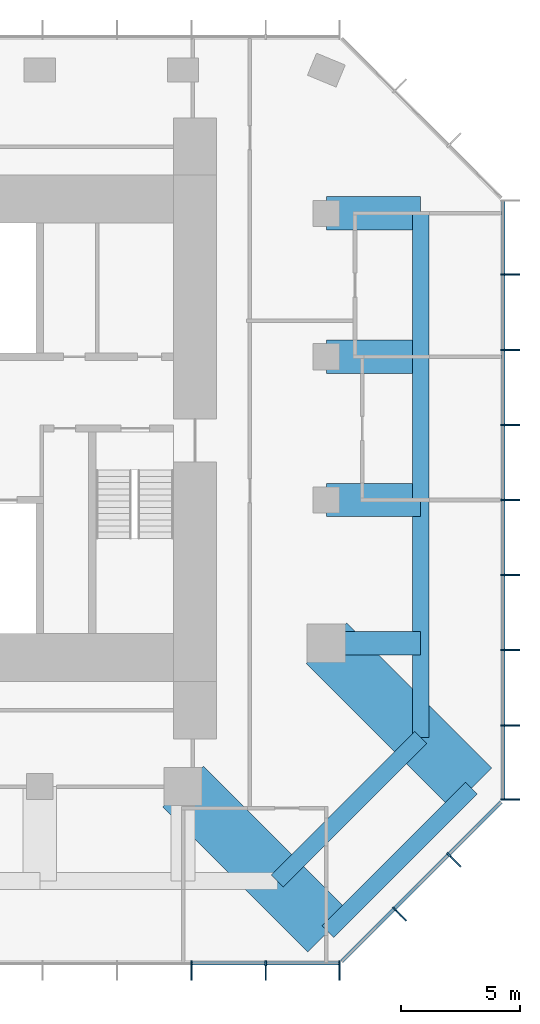
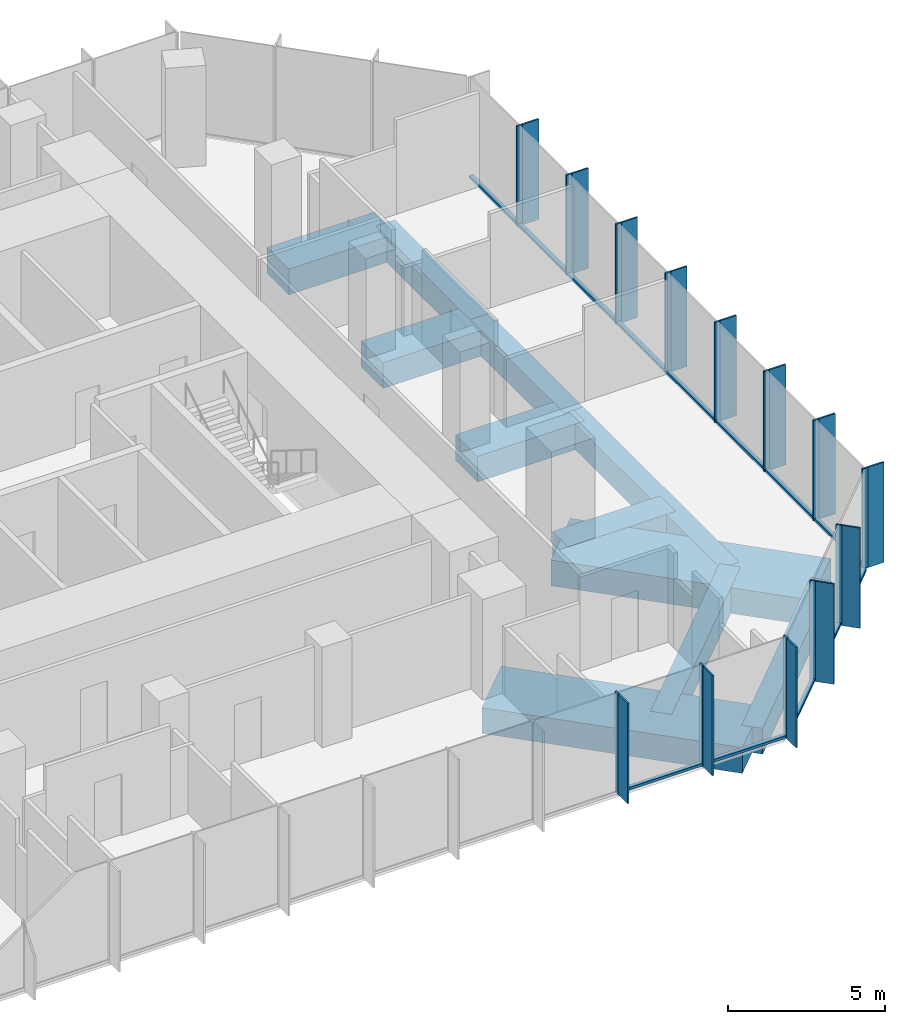
# One storey, part 4 of 11: 39 members, 11 beams, 3 elements without a shape of their own.
"""IFC4 building model written with IfcOpenShell, lengths in metres."""

from ifc_helpers import new_model, si_unit, direction, frame, origin, origin_2d, place, context, subcontext, project, spatial, rectangle, extrude, material, layer, layer_set, material_profile, profile_set, type_object, element, aggregate, save


model = new_model("IFC4")

# Units and contexts
model_context = context("Model", 3, precision=1e-05, world=origin(), true_north=direction((0.0, 1.0)))
body_context = subcontext(model_context, "Body", "Model", "MODEL_VIEW")
ifc_project = project(units=[si_unit("LENGTHUNIT", "METRE"), si_unit("AREAUNIT", "SQUARE_METRE"), si_unit("VOLUMEUNIT", "CUBIC_METRE"), si_unit("PLANEANGLEUNIT", "RADIAN"), si_unit("MASSUNIT", "GRAM", prefix="KILO")], contexts=[model_context])

# Site, building, storey
site_placement = place(None, origin())
site = spatial("IfcSite", under=ifc_project, at=site_placement, CompositionType="ELEMENT")
building_placement = place(site_placement, origin())
building = spatial("IfcBuilding", under=site, at=building_placement, Name="Highveld Stack Headquarters", CompositionType="ELEMENT")
storey_placement = place(building_placement, frame((0.0, 0.0, 287.89990234375)))
storey = spatial("IfcBuildingStorey", under=building, at=storey_placement, Name="L71", CompositionType="ELEMENT", Elevation=287.89990234375)

# Beams
ifc_material_1 = material(Name="Concrete C60/75", Category="concrete")
ifc_material_profile_1 = material_profile(ifc_material_1, rectangle(XDim=1.0, YDim=1.0, at=origin_2d()), Name="RC 1000x1000")
ifc_profile_set_1 = profile_set([ifc_material_profile_1], Name="Concrete C60/75")
beam_type_1 = type_object("IfcBeamType", Name="CANTILEVER RIB RC 1000x1000", PredefinedType="USERDEFINED", material=ifc_profile_set_1)
beam_1_placement = place(storey_placement, frame((24.0, -6.0, -0.75), z_axis=(1.0, 0.0, 0.0), x_axis=(0.0, 1.0, 0.0)))
element("IfcBeam", 1, at=beam_1_placement, inside=storey, type_object=beam_type_1, Name="Cantilever rib 10/D L71", ObjectType="CANTILEVER RIB", PredefinedType="USERDEFINED", context=body_context, shape_type="SweptSolid", body=[
    extrude(rectangle(XDim=1.0, YDim=1.0, at=origin_2d()), origin(), (0.0, 0.0, 1.0), 3.949951171875),
])
ifc_material_2 = material(Name="Concrete C60/75", Category="concrete")
ifc_material_profile_2 = material_profile(ifc_material_2, rectangle(XDim=1.39990234375, YDim=1.0, at=origin_2d()), Name="RC 1400x1000")
ifc_profile_set_2 = profile_set([ifc_material_profile_2], Name="Concrete C60/75")
beam_type_2 = type_object("IfcBeamType", Name="CANTILEVER RIB RC 1400x1000", PredefinedType="USERDEFINED", material=ifc_profile_set_2)
for number, where, z_axis, x_axis, name in (
    (2, (24.0, 0.0, -0.75), (1.0, 0.0, 0.0), (0.0, 1.0, 0.0), "Cantilever rib 10/E L71"),
    (3, (24.0, 6.0, -0.75), (1.0, 0.0, 0.0), (0.0, 1.0, 0.0), "Cantilever rib 10/F L71"),
    (4, (24.0, 12.0, -0.75), (1.0, 0.0, 0.0), (0.0, 1.0, 0.0), "Cantilever rib 10/G L71"),
):
    element("IfcBeam", number, at=place(storey_placement, frame(where, z_axis=z_axis, x_axis=x_axis)), inside=storey, type_object=beam_type_2, Name=name, ObjectType="CANTILEVER RIB", PredefinedType="USERDEFINED", context=body_context, shape_type="SweptSolid", body=[
        extrude(rectangle(XDim=1.39990234375, YDim=1.0, at=origin_2d()), origin(), (0.0, 0.0, 1.0), 3.949951171875),
    ])
ifc_material_3 = material(Name="Concrete C60/75", Category="concrete")
ifc_material_profile_3 = material_profile(ifc_material_3, rectangle(XDim=2.39990234375, YDim=1.0, at=origin_2d()), Name="RC 2400x1000")
ifc_profile_set_3 = profile_set([ifc_material_profile_3], Name="Concrete C60/75")
beam_type_3 = type_object("IfcBeamType", Name="CANTILEVER RIB RC 2400x1000", PredefinedType="USERDEFINED", material=ifc_profile_set_3)
for number, where, z_axis, x_axis, name in (
    (5, (18.0, -12.0, -0.75), (0.707106781187, -0.707106781187, 0.0), (0.707106781187, 0.707106781187, 0.0), "Cantilever rib 9/C L71"),
    (6, (24.0, -6.0, -0.75), (0.707106781187, -0.707106781187, 0.0), (0.707106781187, 0.707106781187, 0.0), "Cantilever rib 10/D L71"),
):
    element("IfcBeam", number, at=place(storey_placement, frame(where, z_axis=z_axis, x_axis=x_axis)), inside=storey, type_object=beam_type_3, Name=name, ObjectType="CANTILEVER RIB", PredefinedType="USERDEFINED", context=body_context, shape_type="SweptSolid", body=[
        extrude(rectangle(XDim=2.39990234375, YDim=1.0, at=origin_2d()), origin(), (0.0, 0.0, 1.0), 8.585693359375),
    ])

# Curtain wall, members
ifc_material_4 = material(Name="Aluminium bronze anodised", Category="aluminium")
ifc_layer = layer(ifc_material_4, 0.199951171875)
ifc_layer_set = layer_set([ifc_layer], Name="Aluminium bronze anodised")
curtain_wall_type = type_object("IfcCurtainWallType", Name="CW5 EXECUTIVE UNITISED CURTAIN WALL", PredefinedType="NOTDEFINED", material=ifc_layer_set)
curtain_wall_1_placement = place(storey_placement, origin())
curtain_wall_1 = element("IfcCurtainWall", 7, at=curtain_wall_1_placement, inside=storey, type_object=curtain_wall_type, Name="Curtain wall CW5 L71 S", PredefinedType="NOTDEFINED")
ifc_material_5 = material(Name="Aluminium bronze anodised", Category="aluminium")
ifc_material_profile_4 = material_profile(ifc_material_5, rectangle(XDim=0.60009765625, YDim=0.06005859375, at=origin_2d()), Name="FIN 600x60")
ifc_profile_set_4 = profile_set([ifc_material_profile_4], Name="Aluminium bronze anodised")
member_type_1 = type_object("IfcMemberType", Name="CW5 BRONZE FIN 600x60", PredefinedType="USERDEFINED", material=ifc_profile_set_4)
member_1_placement = place(storey_placement, frame((18.347900390625, -19.800048828125, 0.0), z_axis=(0.0, 0.0, 1.0), x_axis=(0.0, 1.0, 0.0)))
member_1 = element("IfcMember", 8, at=member_1_placement, type_object=member_type_1, Name="CW5 fin L71 9", ObjectType="FIN", PredefinedType="USERDEFINED", context=body_context, shape_type="SweptSolid", body=[
    extrude(rectangle(XDim=0.60009765625, YDim=0.06005859375, at=origin_2d()), origin(), (0.0, 0.0, 1.0), 3.900146484375),
])
member_2_placement = place(storey_placement, frame((21.4638671875, -19.800048828125, 0.0), z_axis=(0.0, 0.0, 1.0), x_axis=(0.0, 1.0, 0.0)))
member_2 = element("IfcMember", 9, at=member_2_placement, type_object=member_type_1, Name="CW5 fin L71 10", ObjectType="FIN", PredefinedType="USERDEFINED", context=body_context, shape_type="SweptSolid", body=[
    extrude(rectangle(XDim=0.60009765625, YDim=0.06005859375, at=origin_2d()), origin(), (0.0, 0.0, 1.0), 3.900146484375),
])
member_3_placement = place(storey_placement, frame((24.54736328125, -19.800048828125, 0.0), z_axis=(0.0, 0.0, 1.0), x_axis=(0.0, 1.0, 0.0)))
member_3 = element("IfcMember", 10, at=member_3_placement, type_object=member_type_1, Name="CW5 fin L71 11", ObjectType="FIN", PredefinedType="USERDEFINED", context=body_context, shape_type="SweptSolid", body=[
    extrude(rectangle(XDim=0.60009765625, YDim=0.06005859375, at=origin_2d()), origin(), (0.0, 0.0, 1.0), 3.900146484375),
])

curtain_wall_2_placement = place(storey_placement, origin())
curtain_wall_2 = element("IfcCurtainWall", 11, at=curtain_wall_2_placement, inside=storey, type_object=curtain_wall_type, Name="Curtain wall CW5 L71 SE", PredefinedType="NOTDEFINED")
member_4_placement = place(storey_placement, frame((27.135986328125, -17.409423828125, 0.0), z_axis=(0.0, 0.0, 1.0), x_axis=(-0.707106781187, 0.707106781187, 0.0)))
member_4 = element("IfcMember", 12, at=member_4_placement, type_object=member_type_1, Name="CW5 fin L71 1", ObjectType="FIN", PredefinedType="USERDEFINED", context=body_context, shape_type="SweptSolid", body=[
    extrude(rectangle(XDim=0.60009765625, YDim=0.06005859375, at=origin_2d()), origin(), (0.0, 0.0, 1.0), 3.900146484375),
])
member_5_placement = place(storey_placement, frame((29.409423828125, -15.135986328125, 0.0), z_axis=(0.0, 0.0, 1.0), x_axis=(-0.707106781187, 0.707106781187, 0.0)))
member_5 = element("IfcMember", 13, at=member_5_placement, type_object=member_type_1, Name="CW5 fin L71 2", ObjectType="FIN", PredefinedType="USERDEFINED", context=body_context, shape_type="SweptSolid", body=[
    extrude(rectangle(XDim=0.60009765625, YDim=0.06005859375, at=origin_2d()), origin(), (0.0, 0.0, 1.0), 3.900146484375),
])

curtain_wall_3_placement = place(storey_placement, origin())
curtain_wall_3 = element("IfcCurtainWall", 14, at=curtain_wall_3_placement, inside=storey, type_object=curtain_wall_type, Name="Curtain wall CW5 L71 E", PredefinedType="NOTDEFINED")
member_6_placement = place(storey_placement, frame((31.800048828125, -12.54736328125, 0.0), z_axis=(0.0, 0.0, 1.0), x_axis=(-1.0, 0.0, 0.0)))
member_6 = element("IfcMember", 15, at=member_6_placement, type_object=member_type_1, Name="CW5 fin L71 1", ObjectType="FIN", PredefinedType="USERDEFINED", context=body_context, shape_type="SweptSolid", body=[
    extrude(rectangle(XDim=0.60009765625, YDim=0.06005859375, at=origin_2d()), origin(), (0.0, 0.0, 1.0), 3.900146484375),
])
member_7_placement = place(storey_placement, frame((31.800048828125, -9.434814453125, 0.0), z_axis=(0.0, 0.0, 1.0), x_axis=(-1.0, 0.0, 0.0)))
member_7 = element("IfcMember", 16, at=member_7_placement, type_object=member_type_1, Name="CW5 fin L71 2", ObjectType="FIN", PredefinedType="USERDEFINED", context=body_context, shape_type="SweptSolid", body=[
    extrude(rectangle(XDim=0.60009765625, YDim=0.06005859375, at=origin_2d()), origin(), (0.0, 0.0, 1.0), 3.900146484375),
])
member_8_placement = place(storey_placement, frame((31.800048828125, -6.2900390625, 0.0), z_axis=(0.0, 0.0, 1.0), x_axis=(-1.0, 0.0, 0.0)))
member_8 = element("IfcMember", 17, at=member_8_placement, type_object=member_type_1, Name="CW5 fin L71 3", ObjectType="FIN", PredefinedType="USERDEFINED", context=body_context, shape_type="SweptSolid", body=[
    extrude(rectangle(XDim=0.60009765625, YDim=0.06005859375, at=origin_2d()), origin(), (0.0, 0.0, 1.0), 3.900146484375),
])
member_9_placement = place(storey_placement, frame((31.800048828125, -3.14501953125, 0.0), z_axis=(0.0, 0.0, 1.0), x_axis=(-1.0, 0.0, 0.0)))
member_9 = element("IfcMember", 18, at=member_9_placement, type_object=member_type_1, Name="CW5 fin L71 4", ObjectType="FIN", PredefinedType="USERDEFINED", context=body_context, shape_type="SweptSolid", body=[
    extrude(rectangle(XDim=0.60009765625, YDim=0.06005859375, at=origin_2d()), origin(), (0.0, 0.0, 1.0), 3.900146484375),
])
member_10_placement = place(storey_placement, frame((31.800048828125, 0.0, 0.0), z_axis=(0.0, 0.0, 1.0), x_axis=(-1.0, 0.0, 0.0)))
member_10 = element("IfcMember", 19, at=member_10_placement, type_object=member_type_1, Name="CW5 fin L71 5", ObjectType="FIN", PredefinedType="USERDEFINED", context=body_context, shape_type="SweptSolid", body=[
    extrude(rectangle(XDim=0.60009765625, YDim=0.06005859375, at=origin_2d()), origin(), (0.0, 0.0, 1.0), 3.900146484375),
])
member_11_placement = place(storey_placement, frame((31.800048828125, 3.14501953125, 0.0), z_axis=(0.0, 0.0, 1.0), x_axis=(-1.0, 0.0, 0.0)))
member_11 = element("IfcMember", 20, at=member_11_placement, type_object=member_type_1, Name="CW5 fin L71 6", ObjectType="FIN", PredefinedType="USERDEFINED", context=body_context, shape_type="SweptSolid", body=[
    extrude(rectangle(XDim=0.60009765625, YDim=0.06005859375, at=origin_2d()), origin(), (0.0, 0.0, 1.0), 3.900146484375),
])
member_12_placement = place(storey_placement, frame((31.800048828125, 6.289794921875, 0.0), z_axis=(0.0, 0.0, 1.0), x_axis=(-1.0, 0.0, 0.0)))
member_12 = element("IfcMember", 21, at=member_12_placement, type_object=member_type_1, Name="CW5 fin L71 7", ObjectType="FIN", PredefinedType="USERDEFINED", context=body_context, shape_type="SweptSolid", body=[
    extrude(rectangle(XDim=0.60009765625, YDim=0.06005859375, at=origin_2d()), origin(), (0.0, 0.0, 1.0), 3.900146484375),
])
member_13_placement = place(storey_placement, frame((31.800048828125, 9.434814453125, 0.0), z_axis=(0.0, 0.0, 1.0), x_axis=(-1.0, 0.0, 0.0)))
member_13 = element("IfcMember", 22, at=member_13_placement, type_object=member_type_1, Name="CW5 fin L71 8", ObjectType="FIN", PredefinedType="USERDEFINED", context=body_context, shape_type="SweptSolid", body=[
    extrude(rectangle(XDim=0.60009765625, YDim=0.06005859375, at=origin_2d()), origin(), (0.0, 0.0, 1.0), 3.900146484375),
])

# Member
ifc_material_6 = material(Name="Aluminium bronze anodised", Category="aluminium")
ifc_material_profile_5 = material_profile(ifc_material_6, rectangle(XDim=0.199951171875, YDim=0.06494140625, at=origin_2d()), Name="CW5 MULLION 65x200")
ifc_profile_set_5 = profile_set([ifc_material_profile_5], Name="Aluminium bronze anodised")
member_type_2 = type_object("IfcMemberType", Name="CW5 MULLION 65x200", PredefinedType="MULLION", material=ifc_profile_set_5)
member_14_placement = place(storey_placement, frame((18.347900390625, -19.39990234375, 0.0), z_axis=(0.0, 0.0, 1.0), x_axis=(0.0, 1.0, 0.0)))
member_14 = element("IfcMember", 23, at=member_14_placement, type_object=member_type_2, Name="CW5 mullion L71 9", PredefinedType="MULLION", context=body_context, shape_type="SweptSolid", body=[
    extrude(rectangle(XDim=0.199951171875, YDim=0.06494140625, at=origin_2d()), origin(), (0.0, 0.0, 1.0), 3.900146484375),
])

member_15_placement = place(storey_placement, frame((21.4638671875, -19.39990234375, 0.0), z_axis=(0.0, 0.0, 1.0), x_axis=(0.0, 1.0, 0.0)))
member_15 = element("IfcMember", 24, at=member_15_placement, type_object=member_type_2, Name="CW5 mullion L71 10", PredefinedType="MULLION", context=body_context, shape_type="SweptSolid", body=[
    extrude(rectangle(XDim=0.199951171875, YDim=0.06494140625, at=origin_2d()), origin(), (0.0, 0.0, 1.0), 3.900146484375),
])

member_16_placement = place(storey_placement, frame((24.54736328125, -19.39990234375, 0.0), z_axis=(0.0, 0.0, 1.0), x_axis=(0.0, 1.0, 0.0)))
member_16 = element("IfcMember", 25, at=member_16_placement, type_object=member_type_2, Name="CW5 mullion L71 11", PredefinedType="MULLION", context=body_context, shape_type="SweptSolid", body=[
    extrude(rectangle(XDim=0.199951171875, YDim=0.06494140625, at=origin_2d()), origin(), (0.0, 0.0, 1.0), 3.900146484375),
])

member_17_placement = place(storey_placement, frame((26.853271484375, -17.126708984375, 0.0), z_axis=(0.0, 0.0, 1.0), x_axis=(-0.707106781187, 0.707106781187, 0.0)))
member_17 = element("IfcMember", 26, at=member_17_placement, type_object=member_type_2, Name="CW5 mullion L71 1", PredefinedType="MULLION", context=body_context, shape_type="SweptSolid", body=[
    extrude(rectangle(XDim=0.199951171875, YDim=0.06494140625, at=origin_2d()), origin(), (0.0, 0.0, 1.0), 3.900146484375),
])

member_18_placement = place(storey_placement, frame((29.126708984375, -14.853271484375, 0.0), z_axis=(0.0, 0.0, 1.0), x_axis=(-0.707106781187, 0.707106781187, 0.0)))
member_18 = element("IfcMember", 27, at=member_18_placement, type_object=member_type_2, Name="CW5 mullion L71 2", PredefinedType="MULLION", context=body_context, shape_type="SweptSolid", body=[
    extrude(rectangle(XDim=0.199951171875, YDim=0.06494140625, at=origin_2d()), origin(), (0.0, 0.0, 1.0), 3.900146484375),
])

member_19_placement = place(storey_placement, frame((31.39990234375, -12.54736328125, 0.0), z_axis=(0.0, 0.0, 1.0), x_axis=(-1.0, 0.0, 0.0)))
member_19 = element("IfcMember", 28, at=member_19_placement, type_object=member_type_2, Name="CW5 mullion L71 1", PredefinedType="MULLION", context=body_context, shape_type="SweptSolid", body=[
    extrude(rectangle(XDim=0.199951171875, YDim=0.06494140625, at=origin_2d()), origin(), (0.0, 0.0, 1.0), 3.900146484375),
])

member_20_placement = place(storey_placement, frame((31.39990234375, -9.434814453125, 0.0), z_axis=(0.0, 0.0, 1.0), x_axis=(-1.0, 0.0, 0.0)))
member_20 = element("IfcMember", 29, at=member_20_placement, type_object=member_type_2, Name="CW5 mullion L71 2", PredefinedType="MULLION", context=body_context, shape_type="SweptSolid", body=[
    extrude(rectangle(XDim=0.199951171875, YDim=0.06494140625, at=origin_2d()), origin(), (0.0, 0.0, 1.0), 3.900146484375),
])

member_21_placement = place(storey_placement, frame((31.39990234375, -6.2900390625, 0.0), z_axis=(0.0, 0.0, 1.0), x_axis=(-1.0, 0.0, 0.0)))
member_21 = element("IfcMember", 30, at=member_21_placement, type_object=member_type_2, Name="CW5 mullion L71 3", PredefinedType="MULLION", context=body_context, shape_type="SweptSolid", body=[
    extrude(rectangle(XDim=0.199951171875, YDim=0.06494140625, at=origin_2d()), origin(), (0.0, 0.0, 1.0), 3.900146484375),
])

member_22_placement = place(storey_placement, frame((31.39990234375, -3.14501953125, 0.0), z_axis=(0.0, 0.0, 1.0), x_axis=(-1.0, 0.0, 0.0)))
member_22 = element("IfcMember", 31, at=member_22_placement, type_object=member_type_2, Name="CW5 mullion L71 4", PredefinedType="MULLION", context=body_context, shape_type="SweptSolid", body=[
    extrude(rectangle(XDim=0.199951171875, YDim=0.06494140625, at=origin_2d()), origin(), (0.0, 0.0, 1.0), 3.900146484375),
])

member_23_placement = place(storey_placement, frame((31.39990234375, 0.0, 0.0), z_axis=(0.0, 0.0, 1.0), x_axis=(-1.0, 0.0, 0.0)))
member_23 = element("IfcMember", 32, at=member_23_placement, type_object=member_type_2, Name="CW5 mullion L71 5", PredefinedType="MULLION", context=body_context, shape_type="SweptSolid", body=[
    extrude(rectangle(XDim=0.199951171875, YDim=0.06494140625, at=origin_2d()), origin(), (0.0, 0.0, 1.0), 3.900146484375),
])

member_24_placement = place(storey_placement, frame((31.39990234375, 3.14501953125, 0.0), z_axis=(0.0, 0.0, 1.0), x_axis=(-1.0, 0.0, 0.0)))
member_24 = element("IfcMember", 33, at=member_24_placement, type_object=member_type_2, Name="CW5 mullion L71 6", PredefinedType="MULLION", context=body_context, shape_type="SweptSolid", body=[
    extrude(rectangle(XDim=0.199951171875, YDim=0.06494140625, at=origin_2d()), origin(), (0.0, 0.0, 1.0), 3.900146484375),
])

member_25_placement = place(storey_placement, frame((31.39990234375, 6.289794921875, 0.0), z_axis=(0.0, 0.0, 1.0), x_axis=(-1.0, 0.0, 0.0)))
member_25 = element("IfcMember", 34, at=member_25_placement, type_object=member_type_2, Name="CW5 mullion L71 7", PredefinedType="MULLION", context=body_context, shape_type="SweptSolid", body=[
    extrude(rectangle(XDim=0.199951171875, YDim=0.06494140625, at=origin_2d()), origin(), (0.0, 0.0, 1.0), 3.900146484375),
])

member_26_placement = place(storey_placement, frame((31.39990234375, 9.434814453125, 0.0), z_axis=(0.0, 0.0, 1.0), x_axis=(-1.0, 0.0, 0.0)))
member_26 = element("IfcMember", 35, at=member_26_placement, type_object=member_type_2, Name="CW5 mullion L71 8", PredefinedType="MULLION", context=body_context, shape_type="SweptSolid", body=[
    extrude(rectangle(XDim=0.199951171875, YDim=0.06494140625, at=origin_2d()), origin(), (0.0, 0.0, 1.0), 3.900146484375),
])

ifc_material_7 = material(Name="Aluminium bronze anodised", Category="aluminium")
ifc_material_profile_6 = material_profile(ifc_material_7, rectangle(XDim=0.14990234375, YDim=0.10009765625, at=origin_2d()), Name="CW5 TRANSOM 150x100")
ifc_profile_set_6 = profile_set([ifc_material_profile_6], Name="Aluminium bronze anodised")
member_type_3 = type_object("IfcMemberType", Name="CW5 STACK TRANSOM 150x100", PredefinedType="USERDEFINED", material=ifc_profile_set_6)
member_27_placement = place(storey_placement, frame((18.38037109375, -19.39990234375, 0.050048828125), z_axis=(1.0, 0.0, 0.0), x_axis=(0.0, 1.0, 0.0)))
member_27 = element("IfcMember", 36, at=member_27_placement, type_object=member_type_3, Name="CW5 transom L71 9.1", ObjectType="TRANSOM", PredefinedType="USERDEFINED", context=body_context, shape_type="SweptSolid", body=[
    extrude(rectangle(XDim=0.14990234375, YDim=0.10009765625, at=origin_2d()), origin(), (0.0, 0.0, 1.0), 3.051025390625),
])

member_28_placement = place(storey_placement, frame((21.496337890625, -19.39990234375, 0.050048828125), z_axis=(1.0, 0.0, 0.0), x_axis=(0.0, 1.0, 0.0)))
member_28 = element("IfcMember", 37, at=member_28_placement, type_object=member_type_3, Name="CW5 transom L71 10.1", ObjectType="TRANSOM", PredefinedType="USERDEFINED", context=body_context, shape_type="SweptSolid", body=[
    extrude(rectangle(XDim=0.14990234375, YDim=0.10009765625, at=origin_2d()), origin(), (0.0, 0.0, 1.0), 3.0185546875),
])

aggregate(curtain_wall_1, [member_14, member_1, member_15, member_2, member_16, member_3, member_27, member_28])

member_29_placement = place(storey_placement, frame((24.650634765625, -19.329345703125, 0.050048828125), z_axis=(0.707106781187, 0.707106781187, 0.0), x_axis=(-0.707106781187, 0.707106781187, 0.0)))
member_29 = element("IfcMember", 38, at=member_29_placement, type_object=member_type_3, Name="CW5 transom L71 1.1", ObjectType="TRANSOM", PredefinedType="USERDEFINED", context=body_context, shape_type="SweptSolid", body=[
    extrude(rectangle(XDim=0.14990234375, YDim=0.10009765625, at=origin_2d()), origin(), (0.0, 0.0, 1.0), 3.08251953125),
])

member_30_placement = place(storey_placement, frame((26.876220703125, -17.103759765625, 0.050048828125), z_axis=(0.707106781187, 0.707106781187, 0.0), x_axis=(-0.707106781187, 0.707106781187, 0.0)))
member_30 = element("IfcMember", 39, at=member_30_placement, type_object=member_type_3, Name="CW5 transom L71 2.1", ObjectType="TRANSOM", PredefinedType="USERDEFINED", context=body_context, shape_type="SweptSolid", body=[
    extrude(rectangle(XDim=0.14990234375, YDim=0.10009765625, at=origin_2d()), origin(), (0.0, 0.0, 1.0), 3.150146484375),
])

member_31_placement = place(storey_placement, frame((29.149658203125, -14.830322265625, 0.050048828125), z_axis=(0.707106781187, 0.707106781187, 0.0), x_axis=(-0.707106781187, 0.707106781187, 0.0)))
member_31 = element("IfcMember", 40, at=member_31_placement, type_object=member_type_3, Name="CW5 transom L71 3.1", ObjectType="TRANSOM", PredefinedType="USERDEFINED", context=body_context, shape_type="SweptSolid", body=[
    extrude(rectangle(XDim=0.14990234375, YDim=0.10009765625, at=origin_2d()), origin(), (0.0, 0.0, 1.0), 3.08251953125),
])

aggregate(curtain_wall_2, [member_17, member_4, member_18, member_5, member_29, member_30, member_31])

member_32_placement = place(storey_placement, frame((31.39990234375, -12.514892578125, 0.050048828125), z_axis=(0.0, 1.0, 0.0), x_axis=(-1.0, 0.0, 0.0)))
member_32 = element("IfcMember", 41, at=member_32_placement, type_object=member_type_3, Name="CW5 transom L71 1.1", ObjectType="TRANSOM", PredefinedType="USERDEFINED", context=body_context, shape_type="SweptSolid", body=[
    extrude(rectangle(XDim=0.14990234375, YDim=0.10009765625, at=origin_2d()), origin(), (0.0, 0.0, 1.0), 3.047607421875),
])

member_33_placement = place(storey_placement, frame((31.39990234375, -9.40234375, 0.050048828125), z_axis=(0.0, 1.0, 0.0), x_axis=(-1.0, 0.0, 0.0)))
member_33 = element("IfcMember", 42, at=member_33_placement, type_object=member_type_3, Name="CW5 transom L71 2.1", ObjectType="TRANSOM", PredefinedType="USERDEFINED", context=body_context, shape_type="SweptSolid", body=[
    extrude(rectangle(XDim=0.14990234375, YDim=0.10009765625, at=origin_2d()), origin(), (0.0, 0.0, 1.0), 3.079833984375),
])

member_34_placement = place(storey_placement, frame((31.39990234375, -6.257568359375, 0.050048828125), z_axis=(0.0, 1.0, 0.0), x_axis=(-1.0, 0.0, 0.0)))
member_34 = element("IfcMember", 43, at=member_34_placement, type_object=member_type_3, Name="CW5 transom L71 3.1", ObjectType="TRANSOM", PredefinedType="USERDEFINED", context=body_context, shape_type="SweptSolid", body=[
    extrude(rectangle(XDim=0.14990234375, YDim=0.10009765625, at=origin_2d()), origin(), (0.0, 0.0, 1.0), 3.080078125),
])

member_35_placement = place(storey_placement, frame((31.39990234375, -3.112548828125, 0.050048828125), z_axis=(0.0, 1.0, 0.0), x_axis=(-1.0, 0.0, 0.0)))
member_35 = element("IfcMember", 44, at=member_35_placement, type_object=member_type_3, Name="CW5 transom L71 4.1", ObjectType="TRANSOM", PredefinedType="USERDEFINED", context=body_context, shape_type="SweptSolid", body=[
    extrude(rectangle(XDim=0.14990234375, YDim=0.10009765625, at=origin_2d()), origin(), (0.0, 0.0, 1.0), 3.080078125),
])

member_36_placement = place(storey_placement, frame((31.39990234375, 0.032470703125, 0.050048828125), z_axis=(0.0, 1.0, 0.0), x_axis=(-1.0, 0.0, 0.0)))
member_36 = element("IfcMember", 45, at=member_36_placement, type_object=member_type_3, Name="CW5 transom L71 5.1", ObjectType="TRANSOM", PredefinedType="USERDEFINED", context=body_context, shape_type="SweptSolid", body=[
    extrude(rectangle(XDim=0.14990234375, YDim=0.10009765625, at=origin_2d()), origin(), (0.0, 0.0, 1.0), 3.080078125),
])

member_37_placement = place(storey_placement, frame((31.39990234375, 3.177490234375, 0.050048828125), z_axis=(0.0, 1.0, 0.0), x_axis=(-1.0, 0.0, 0.0)))
member_37 = element("IfcMember", 46, at=member_37_placement, type_object=member_type_3, Name="CW5 transom L71 6.1", ObjectType="TRANSOM", PredefinedType="USERDEFINED", context=body_context, shape_type="SweptSolid", body=[
    extrude(rectangle(XDim=0.14990234375, YDim=0.10009765625, at=origin_2d()), origin(), (0.0, 0.0, 1.0), 3.080078125),
])

member_38_placement = place(storey_placement, frame((31.39990234375, 6.322509765625, 0.050048828125), z_axis=(0.0, 1.0, 0.0), x_axis=(-1.0, 0.0, 0.0)))
member_38 = element("IfcMember", 47, at=member_38_placement, type_object=member_type_3, Name="CW5 transom L71 7.1", ObjectType="TRANSOM", PredefinedType="USERDEFINED", context=body_context, shape_type="SweptSolid", body=[
    extrude(rectangle(XDim=0.14990234375, YDim=0.10009765625, at=origin_2d()), origin(), (0.0, 0.0, 1.0), 3.079833984375),
])

member_39_placement = place(storey_placement, frame((31.39990234375, 9.46728515625, 0.050048828125), z_axis=(0.0, 1.0, 0.0), x_axis=(-1.0, 0.0, 0.0)))
member_39 = element("IfcMember", 48, at=member_39_placement, type_object=member_type_3, Name="CW5 transom L71 8.1", ObjectType="TRANSOM", PredefinedType="USERDEFINED", context=body_context, shape_type="SweptSolid", body=[
    extrude(rectangle(XDim=0.14990234375, YDim=0.10009765625, at=origin_2d()), origin(), (0.0, 0.0, 1.0), 3.047607421875),
])

aggregate(curtain_wall_3, [member_19, member_6, member_20, member_7, member_21, member_8, member_22, member_9, member_23, member_10, member_24, member_11, member_25, member_12, member_26, member_13, member_32, member_33, member_34, member_35, member_36, member_37, member_38, member_39])

# Beams
ifc_material_8 = material(Name="Concrete C60/75", Category="concrete")
ifc_material_profile_7 = material_profile(ifc_material_8, rectangle(XDim=0.699951171875, YDim=1.0, at=origin_2d()), Name="RC 700x1000")
ifc_profile_set_7 = profile_set([ifc_material_profile_7], Name="Concrete C60/75")
beam_type_4 = type_object("IfcBeamType", Name="RIB TIP BEAM RC 700x1000", PredefinedType="SPANDREL", material=ifc_profile_set_7)
beam_2_placement = place(storey_placement, frame((27.949951171875, -9.949951171875, -0.75), z_axis=(0.0, 1.0, 0.0), x_axis=(-1.0, 0.0, 0.0)))
element("IfcBeam", 49, at=beam_2_placement, inside=storey, type_object=beam_type_4, Name="Rib tip beam 10/D to 10/E L71", PredefinedType="SPANDREL", context=body_context, shape_type="SweptSolid", body=[
    extrude(rectangle(XDim=0.699951171875, YDim=1.0, at=origin_2d()), origin(), (0.0, 0.0, 1.0), 9.949951171875),
])
for number, where, z_axis, x_axis, name in (
    (50, (27.949951171875, 0.0, -0.75), (0.0, 1.0, 0.0), (-1.0, 0.0, 0.0), "Rib tip beam 10/E to 10/F L71"),
    (51, (27.949951171875, 6.0, -0.75), (0.0, 1.0, 0.0), (-1.0, 0.0, 0.0), "Rib tip beam 10/F to 10/G L71"),
):
    element("IfcBeam", number, at=place(storey_placement, frame(where, z_axis=z_axis, x_axis=x_axis)), inside=storey, type_object=beam_type_4, Name=name, PredefinedType="SPANDREL", context=body_context, shape_type="SweptSolid", body=[
        extrude(rectangle(XDim=0.699951171875, YDim=1.0, at=origin_2d()), origin(), (0.0, 0.0, 1.0), 6.0),
    ])
for number, where, z_axis, x_axis, name in (
    (52, (21.949951171875, -15.949951171875, -0.75), (0.707106781187, 0.707106781187, 0.0), (-0.707106781187, 0.707106781187, 0.0), "Rib tip beam 9/C to 10/D chamfer L71"),
    (53, (24.071044921875, -18.071044921875, -0.75), (0.707106781187, 0.707106781187, 0.0), (-0.707106781187, 0.707106781187, 0.0), "Rib tip beam 9/C to 10/D chamfer edge L71"),
):
    element("IfcBeam", number, at=place(storey_placement, frame(where, z_axis=z_axis, x_axis=x_axis)), inside=storey, type_object=beam_type_4, Name=name, PredefinedType="SPANDREL", context=body_context, shape_type="SweptSolid", body=[
        extrude(rectangle(XDim=0.699951171875, YDim=1.0, at=origin_2d()), origin(), (0.0, 0.0, 1.0), 8.4853515625),
    ])

save(model, "model.ifc")
